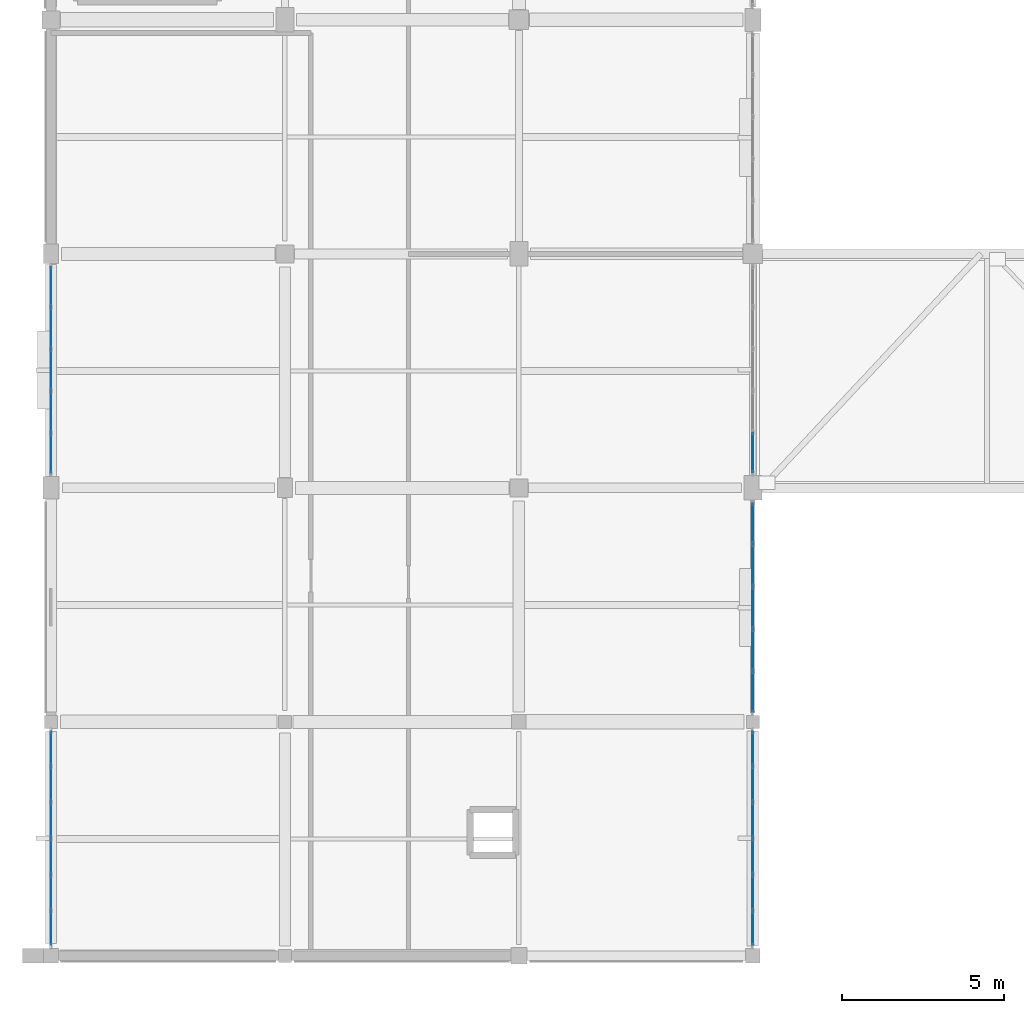
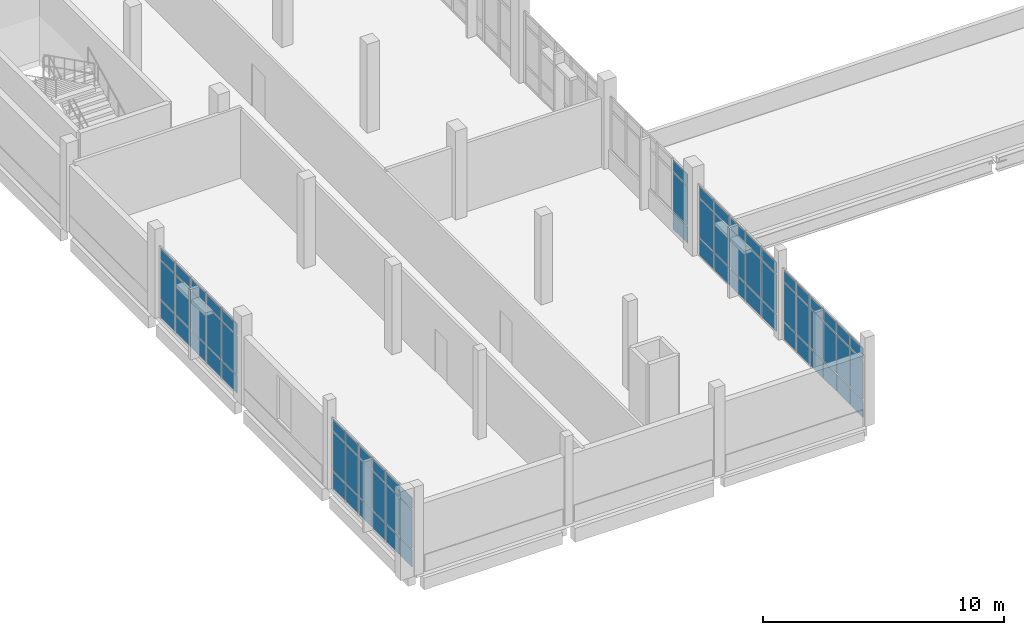
# One storey, part 59 of 87: 69 plates, 5 elements without a shape of their own.
"""IFC4 building model written with IfcOpenShell, lengths in metres."""

import ifcopenshell
import ifcopenshell.guid

model = None  # the IFC model being written
_history = None  # IfcOwnerHistory: only IFC2X3 demands one
_inside = {}  # id of a spatial element -> (the spatial element, [elements in it])
_under = {}  # id of a project, library or spatial element -> (it, [spatial elements below it])
_declared = {}  # id of a project -> (the project, [libraries it declares])
_typed = {}  # id of a type object -> (the type object, [elements of that type])
_made_of = {}  # id of a material, layer set ... -> (it, [elements and type objects made of it])


def new_model(schema):
    """Start an empty IFC model of exactly this schema.

    Asked for "IFC4X3", IfcOpenShell would pick the latest addendum, in which some entities
    have other attributes; the version numbers below select the first issue.
    IFC2X3 requires an IfcOwnerHistory on every rooted entity: one is made here for all.
    """
    global model, _history
    if schema == "IFC4X3":
        model = ifcopenshell.file(schema_version=(4, 3, 0, 0))
    else:
        model = ifcopenshell.file(schema=schema)
    _inside.clear()
    _under.clear()
    _declared.clear()
    _typed.clear()
    _made_of.clear()
    _history = None
    if model.schema == "IFC2X3":
        org = make("IfcOrganization", Name="unknown")
        user = make(
            "IfcPersonAndOrganization",
            ThePerson=make("IfcPerson", FamilyName="unknown"),
            TheOrganization=org,
        )
        app = make(
            "IfcApplication",
            ApplicationDeveloper=org,
            Version="unknown",
            ApplicationFullName="unknown",
            ApplicationIdentifier="unknown",
        )
        _history = make(
            "IfcOwnerHistory",
            OwningUser=user,
            OwningApplication=app,
            ChangeAction="ADDED",
            CreationDate=0,
        )
    return model


def make(cls, **values):
    """One entity of the class cls with the attributes given. An attribute that is None is left unset."""
    return model.create_entity(
        cls, **{name: value for name, value in values.items() if value is not None}
    )


def rooted(cls, **values):
    """An entity with a GlobalId (a new one), such as an element, a storey or a relation."""
    return make(cls, GlobalId=ifcopenshell.guid.new(), OwnerHistory=_history, **values)


def si_unit(unit_type, name, prefix=None):
    """IfcSIUnit, for example si_unit("LENGTHUNIT", "METRE", prefix="MILLI")."""
    return make("IfcSIUnit", UnitType=unit_type, Prefix=prefix, Name=name)


def assignment(units):
    """IfcUnitAssignment: the units of a project."""
    return None if units is None else make("IfcUnitAssignment", Units=units)


def point(xyz):
    """IfcCartesianPoint."""
    return None if xyz is None else make("IfcCartesianPoint", Coordinates=xyz)


def direction(xyz):
    """IfcDirection."""
    return None if xyz is None else make("IfcDirection", DirectionRatios=xyz)


def frame(location, z_axis=None, x_axis=None):
    """IfcAxis2Placement3D, a coordinate frame: its origin and axes. An axis left out is left unset."""
    return make(
        "IfcAxis2Placement3D",
        Location=point(location),
        Axis=direction(z_axis),
        RefDirection=direction(x_axis),
    )


def frame_2d(location, x_axis=None):
    """IfcAxis2Placement2D, a coordinate frame in the plane: its origin and x axis."""
    return make(
        "IfcAxis2Placement2D", Location=point(location), RefDirection=direction(x_axis)
    )


def origin():
    """The frame at (0, 0, 0) with its axes left unset."""
    return frame((0.0, 0.0, 0.0))


def origin_2d():
    """The frame at (0, 0) in the plane with its x axis left unset."""
    return frame_2d((0.0, 0.0))


def place(relative_to, where):
    """IfcLocalPlacement: puts the frame where relative to a parent placement (None: the world)."""
    return make(
        "IfcLocalPlacement", PlacementRelTo=relative_to, RelativePlacement=where
    )


def context(
    kind, dimensions, precision=None, world=None, true_north=None, identifier=None
):
    """IfcGeometricRepresentationContext, for example the 3D "Model" context."""
    return make(
        "IfcGeometricRepresentationContext",
        ContextIdentifier=identifier,
        ContextType=kind,
        CoordinateSpaceDimension=dimensions,
        Precision=precision,
        WorldCoordinateSystem=world,
        TrueNorth=true_north,
    )


def subcontext(parent, identifier, kind, view, scale=None):
    """IfcGeometricRepresentationSubContext, for example "Body" below "Model"."""
    return make(
        "IfcGeometricRepresentationSubContext",
        ContextIdentifier=identifier,
        ContextType=kind,
        ParentContext=parent,
        TargetScale=scale,
        TargetView=view,
    )


def project(units=None, contexts=None):
    """IfcProject with its units and contexts."""
    return rooted(
        "IfcProject",
        Name="project",
        RepresentationContexts=contexts,
        UnitsInContext=assignment(units),
    )


def spatial(cls, under=None, at=None, **own):
    """A site, building, storey or space (cls), placed at a placement, below another one or the project."""
    s = rooted(cls, ObjectPlacement=at, **own)
    if under is not None:
        _under.setdefault(under.id(), (under, []))[1].append(s)
    return s


def profile(cls, at=None, kind="AREA", **sizes):
    """A parametric profile (cls). Its sizes go by their IFC names, for example OverallWidth=200.0."""
    return make(cls, ProfileType=kind, Position=at, **sizes)


def rectangle(**sizes):
    """IfcRectangleProfileDef."""
    return profile("IfcRectangleProfileDef", **sizes)


def extrude(swept, where, along, depth):
    """IfcExtrudedAreaSolid: the profile swept, set in the frame where, extruded along a direction by depth."""
    return make(
        "IfcExtrudedAreaSolid",
        SweptArea=swept,
        Position=where,
        ExtrudedDirection=direction(along),
        Depth=depth,
    )


def shape(context_of_items, identifier, shape_type, items):
    """IfcShapeRepresentation: the items that make up one representation, for example the "Body"."""
    return make(
        "IfcShapeRepresentation",
        ContextOfItems=context_of_items,
        RepresentationIdentifier=identifier,
        RepresentationType=shape_type,
        Items=items,
    )


def material(Name=None, Category=None):
    """IfcMaterial."""
    return make("IfcMaterial", Name=Name, Category=Category)


def layer(
    of_material, thickness, ventilated=None, Name=None, Category=None, Priority=None
):
    """IfcMaterialLayer: one layer of a wall or slab, of a material (None: an air gap)."""
    return make(
        "IfcMaterialLayer",
        Material=of_material,
        LayerThickness=thickness,
        IsVentilated=ventilated,
        Name=Name,
        Category=Category,
        Priority=Priority,
    )


def layer_set(layers, Name=None):
    """IfcMaterialLayerSet."""
    return make("IfcMaterialLayerSet", MaterialLayers=layers, LayerSetName=Name)


def made_of(thing, what):
    """Note that an element or type object is made of a material, layer set ...; save() writes the relation."""
    if what is not None:
        _made_of.setdefault(what.id(), (what, []))[1].append(thing)
    return thing


def type_object(cls, material=None, **own):
    """A type object (cls), such as IfcWallType, which elements share."""
    return made_of(rooted(cls, **own), material)


def element(
    cls,
    number,
    at=None,
    inside=None,
    cuts=None,
    type_object=None,
    material=None,
    context=None,
    identifier="Body",
    shape_type=None,
    held_by="IfcProductDefinitionShape",
    body=None,
    shapes=None,
    **own,
):
    """One element of the class cls, such as IfcWall. Its Tag is "e" and its number.

    at: its placement. inside: the storey or other place that contains it. cuts: it is an
    opening in that element (IfcRelVoidsElement). A single representation is given by context,
    identifier, shape_type and body (its items); several are given by shapes. held_by: the class
    of the entity that holds the representations. save() writes the other relations.
    """
    e = rooted(cls, Tag="e%d" % number, ObjectPlacement=at, **own)
    if body is not None:
        shapes = [shape(context, identifier, shape_type, body)]
    if shapes is not None:
        e.Representation = make(held_by, Representations=shapes)
    if inside is not None:
        _inside.setdefault(inside.id(), (inside, []))[1].append(e)
    if cuts is not None:
        rooted(
            "IfcRelVoidsElement", RelatingBuildingElement=cuts, RelatedOpeningElement=e
        )
    if type_object is not None:
        _typed.setdefault(type_object.id(), (type_object, []))[1].append(e)
    return made_of(e, material)


def aggregate(whole, parts):
    """IfcRelAggregates: a whole, such as a stair, and the parts it consists of."""
    return rooted("IfcRelAggregates", RelatingObject=whole, RelatedObjects=parts)


def save(model, path):
    """Write the relations noted so far, then the file.

    IfcRelAggregates (storeys below a building ...), IfcRelContainedInSpatialStructure (elements
    in a storey), IfcRelDefinesByType, IfcRelAssociatesMaterial and IfcRelDeclares: one each for
    every whole, place, type object, material and project.
    """
    for whole, parts in _under.values():
        aggregate(whole, parts)
    for where, things in _inside.values():
        rooted(
            "IfcRelContainedInSpatialStructure",
            RelatedElements=things,
            RelatingStructure=where,
        )
    for kind, things in _typed.values():
        rooted("IfcRelDefinesByType", RelatedObjects=things, RelatingType=kind)
    for what, things in _made_of.values():
        rooted("IfcRelAssociatesMaterial", RelatedObjects=things, RelatingMaterial=what)
    for by, libraries in _declared.values():
        rooted("IfcRelDeclares", RelatingContext=by, RelatedDefinitions=libraries)
    model.write(path)


model = new_model("IFC4")

# Units and contexts
model_context = context("Model", 3, precision=1e-05, world=origin(), true_north=direction((0.0, 1.0)))
body_context = subcontext(model_context, "Body", "Model", "MODEL_VIEW")
ifc_project = project(units=[si_unit("LENGTHUNIT", "METRE"), si_unit("AREAUNIT", "SQUARE_METRE"), si_unit("VOLUMEUNIT", "CUBIC_METRE"), si_unit("PLANEANGLEUNIT", "RADIAN"), si_unit("MASSUNIT", "GRAM", prefix="KILO")], contexts=[model_context])

# Site, building, storey
site_placement = place(None, origin())
site = spatial("IfcSite", under=ifc_project, at=site_placement, CompositionType="ELEMENT")
building_placement = place(site_placement, origin())
building = spatial("IfcBuilding", under=site, at=building_placement, Name="Kalluvel Institute of Natural Sciences", CompositionType="ELEMENT")
storey_placement = place(building_placement, frame((0.0, 0.0, 18.89990234375)))
storey = spatial("IfcBuildingStorey", under=building, at=storey_placement, Name="L04", CompositionType="ELEMENT", Elevation=18.89990234375)

# Curtain wall, plates
ifc_material_1 = material(Name="Aluminium AW-6063 T6", Category="aluminium")
curtain_wall_type = type_object("IfcCurtainWallType", Name="CW-DRY-45", PredefinedType="USERDEFINED", material=ifc_material_1)
curtain_wall_1_placement = place(storey_placement, origin())
curtain_wall_1 = element("IfcCurtainWall", 1, at=curtain_wall_1_placement, inside=storey, type_object=curtain_wall_type, Name="L04 Gothic lancet curtain wall CWA-L04-X140-Y143", ObjectType="UNITISED LANCET FACADE", PredefinedType="USERDEFINED")
ifc_material_2 = material(Name="Solar-Control Low-E Laminated Glass", Category="glass")
ifc_layer = layer(ifc_material_2, 0.028076171875)
ifc_layer_set = layer_set([ifc_layer], Name="Solar-Control Low-E Laminated Glass")
plate_type = type_object("IfcPlateType", Name="CWP-DGU-28", PredefinedType="CURTAIN_PANEL", material=ifc_layer_set)
plate_1_placement = place(storey_placement, frame((14.0, 14.84619140625, 0.06005859375), z_axis=(0.0, 0.0, 1.0), x_axis=(0.0, 1.0, 0.0)))
plate_1 = element("IfcPlate", 2, at=plate_1_placement, type_object=plate_type, Name="CW-03 panel 1.1", PredefinedType="CURTAIN_PANEL", context=body_context, shape_type="SweptSolid", body=[
    extrude(rectangle(XDim=1.0224609375, YDim=0.028076171875, at=origin_2d()), origin(), (0.0, 0.0, 1.0), 0.860107421875),
])
plate_2_placement = place(storey_placement, frame((14.0, 14.84619140625, 0.980224609375), z_axis=(0.0, 0.0, 1.0), x_axis=(0.0, 1.0, 0.0)))
plate_2 = element("IfcPlate", 3, at=plate_2_placement, type_object=plate_type, Name="CW-03 panel 1.2", PredefinedType="CURTAIN_PANEL", context=body_context, shape_type="SweptSolid", body=[
    extrude(rectangle(XDim=1.0224609375, YDim=0.028076171875, at=origin_2d()), origin(), (0.0, 0.0, 1.0), 1.9599609375),
])
plate_3_placement = place(storey_placement, frame((14.0, 14.84619140625, 3.0), z_axis=(0.0, 0.0, 1.0), x_axis=(0.0, 1.0, 0.0)))
plate_3 = element("IfcPlate", 4, at=plate_3_placement, type_object=plate_type, Name="CW-03 panel 1.3", PredefinedType="CURTAIN_PANEL", context=body_context, shape_type="SweptSolid", body=[
    extrude(rectangle(XDim=1.0224609375, YDim=0.028076171875, at=origin_2d()), origin(), (0.0, 0.0, 1.0), 0.56005859375),
])
plate_4_placement = place(storey_placement, frame((14.0, 15.94384765625, 0.06005859375), z_axis=(0.0, 0.0, 1.0), x_axis=(0.0, 1.0, 0.0)))
plate_4 = element("IfcPlate", 5, at=plate_4_placement, type_object=plate_type, Name="CW-03 panel 2.1", PredefinedType="CURTAIN_PANEL", context=body_context, shape_type="SweptSolid", body=[
    extrude(rectangle(XDim=1.052490234375, YDim=0.028076171875, at=origin_2d()), origin(), (0.0, 0.0, 1.0), 0.860107421875),
])
plate_5_placement = place(storey_placement, frame((14.0, 15.94384765625, 0.980224609375), z_axis=(0.0, 0.0, 1.0), x_axis=(0.0, 1.0, 0.0)))
plate_5 = element("IfcPlate", 6, at=plate_5_placement, type_object=plate_type, Name="CW-03 panel 2.2", PredefinedType="CURTAIN_PANEL", context=body_context, shape_type="SweptSolid", body=[
    extrude(rectangle(XDim=1.052490234375, YDim=0.028076171875, at=origin_2d()), origin(), (0.0, 0.0, 1.0), 1.9599609375),
])
plate_6_placement = place(storey_placement, frame((14.0, 15.94384765625, 3.0), z_axis=(0.0, 0.0, 1.0), x_axis=(0.0, 1.0, 0.0)))
plate_6 = element("IfcPlate", 7, at=plate_6_placement, type_object=plate_type, Name="CW-03 panel 2.3", PredefinedType="CURTAIN_PANEL", context=body_context, shape_type="SweptSolid", body=[
    extrude(rectangle(XDim=1.052490234375, YDim=0.028076171875, at=origin_2d()), origin(), (0.0, 0.0, 1.0), 0.56005859375),
])
plate_7_placement = place(storey_placement, frame((14.0, 17.05615234375, 0.06005859375), z_axis=(0.0, 0.0, 1.0), x_axis=(0.0, 1.0, 0.0)))
plate_7 = element("IfcPlate", 8, at=plate_7_placement, type_object=plate_type, Name="CW-03 panel 3.1", PredefinedType="CURTAIN_PANEL", context=body_context, shape_type="SweptSolid", body=[
    extrude(rectangle(XDim=1.052490234375, YDim=0.028076171875, at=origin_2d()), origin(), (0.0, 0.0, 1.0), 0.860107421875),
])
plate_8_placement = place(storey_placement, frame((14.0, 17.05615234375, 0.980224609375), z_axis=(0.0, 0.0, 1.0), x_axis=(0.0, 1.0, 0.0)))
plate_8 = element("IfcPlate", 9, at=plate_8_placement, type_object=plate_type, Name="CW-03 panel 3.2", PredefinedType="CURTAIN_PANEL", context=body_context, shape_type="SweptSolid", body=[
    extrude(rectangle(XDim=1.052490234375, YDim=0.028076171875, at=origin_2d()), origin(), (0.0, 0.0, 1.0), 1.9599609375),
])
plate_9_placement = place(storey_placement, frame((14.0, 17.05615234375, 3.0), z_axis=(0.0, 0.0, 1.0), x_axis=(0.0, 1.0, 0.0)))
plate_9 = element("IfcPlate", 10, at=plate_9_placement, type_object=plate_type, Name="CW-03 panel 3.3", PredefinedType="CURTAIN_PANEL", context=body_context, shape_type="SweptSolid", body=[
    extrude(rectangle(XDim=1.052490234375, YDim=0.028076171875, at=origin_2d()), origin(), (0.0, 0.0, 1.0), 0.56005859375),
])
plate_10_placement = place(storey_placement, frame((14.0, 18.168701171875, 0.06005859375), z_axis=(0.0, 0.0, 1.0), x_axis=(0.0, 1.0, 0.0)))
plate_10 = element("IfcPlate", 11, at=plate_10_placement, type_object=plate_type, Name="CW-03 panel 4.1", PredefinedType="CURTAIN_PANEL", context=body_context, shape_type="SweptSolid", body=[
    extrude(rectangle(XDim=1.052490234375, YDim=0.028076171875, at=origin_2d()), origin(), (0.0, 0.0, 1.0), 0.860107421875),
])
plate_11_placement = place(storey_placement, frame((14.0, 18.168701171875, 0.980224609375), z_axis=(0.0, 0.0, 1.0), x_axis=(0.0, 1.0, 0.0)))
plate_11 = element("IfcPlate", 12, at=plate_11_placement, type_object=plate_type, Name="CW-03 panel 4.2", PredefinedType="CURTAIN_PANEL", context=body_context, shape_type="SweptSolid", body=[
    extrude(rectangle(XDim=1.052490234375, YDim=0.028076171875, at=origin_2d()), origin(), (0.0, 0.0, 1.0), 1.9599609375),
])
plate_12_placement = place(storey_placement, frame((14.0, 18.168701171875, 3.0), z_axis=(0.0, 0.0, 1.0), x_axis=(0.0, 1.0, 0.0)))
plate_12 = element("IfcPlate", 13, at=plate_12_placement, type_object=plate_type, Name="CW-03 panel 4.3", PredefinedType="CURTAIN_PANEL", context=body_context, shape_type="SweptSolid", body=[
    extrude(rectangle(XDim=1.052490234375, YDim=0.028076171875, at=origin_2d()), origin(), (0.0, 0.0, 1.0), 0.56005859375),
])
plate_13_placement = place(storey_placement, frame((14.0, 19.28125, 0.06005859375), z_axis=(0.0, 0.0, 1.0), x_axis=(0.0, 1.0, 0.0)))
plate_13 = element("IfcPlate", 14, at=plate_13_placement, type_object=plate_type, Name="CW-03 panel 5.1", PredefinedType="CURTAIN_PANEL", context=body_context, shape_type="SweptSolid", body=[
    extrude(rectangle(XDim=1.052490234375, YDim=0.028076171875, at=origin_2d()), origin(), (0.0, 0.0, 1.0), 0.860107421875),
])
plate_14_placement = place(storey_placement, frame((14.0, 19.28125, 0.980224609375), z_axis=(0.0, 0.0, 1.0), x_axis=(0.0, 1.0, 0.0)))
plate_14 = element("IfcPlate", 15, at=plate_14_placement, type_object=plate_type, Name="CW-03 panel 5.2", PredefinedType="CURTAIN_PANEL", context=body_context, shape_type="SweptSolid", body=[
    extrude(rectangle(XDim=1.052490234375, YDim=0.028076171875, at=origin_2d()), origin(), (0.0, 0.0, 1.0), 1.9599609375),
])
plate_15_placement = place(storey_placement, frame((14.0, 19.28125, 3.0), z_axis=(0.0, 0.0, 1.0), x_axis=(0.0, 1.0, 0.0)))
plate_15 = element("IfcPlate", 16, at=plate_15_placement, type_object=plate_type, Name="CW-03 panel 5.3", PredefinedType="CURTAIN_PANEL", context=body_context, shape_type="SweptSolid", body=[
    extrude(rectangle(XDim=1.052490234375, YDim=0.028076171875, at=origin_2d()), origin(), (0.0, 0.0, 1.0), 0.56005859375),
])
plate_16_placement = place(storey_placement, frame((14.0, 20.378662109375, 0.06005859375), z_axis=(0.0, 0.0, 1.0), x_axis=(0.0, 1.0, 0.0)))
plate_16 = element("IfcPlate", 17, at=plate_16_placement, type_object=plate_type, Name="CW-03 panel 6.1", PredefinedType="CURTAIN_PANEL", context=body_context, shape_type="SweptSolid", body=[
    extrude(rectangle(XDim=1.0224609375, YDim=0.028076171875, at=origin_2d()), origin(), (0.0, 0.0, 1.0), 0.860107421875),
])
plate_17_placement = place(storey_placement, frame((14.0, 20.378662109375, 0.980224609375), z_axis=(0.0, 0.0, 1.0), x_axis=(0.0, 1.0, 0.0)))
plate_17 = element("IfcPlate", 18, at=plate_17_placement, type_object=plate_type, Name="CW-03 panel 6.2", PredefinedType="CURTAIN_PANEL", context=body_context, shape_type="SweptSolid", body=[
    extrude(rectangle(XDim=1.0224609375, YDim=0.028076171875, at=origin_2d()), origin(), (0.0, 0.0, 1.0), 1.9599609375),
])
plate_18_placement = place(storey_placement, frame((14.0, 20.378662109375, 3.0), z_axis=(0.0, 0.0, 1.0), x_axis=(0.0, 1.0, 0.0)))
plate_18 = element("IfcPlate", 19, at=plate_18_placement, type_object=plate_type, Name="CW-03 panel 6.3", PredefinedType="CURTAIN_PANEL", context=body_context, shape_type="SweptSolid", body=[
    extrude(rectangle(XDim=1.0224609375, YDim=0.028076171875, at=origin_2d()), origin(), (0.0, 0.0, 1.0), 0.56005859375),
])
aggregate(curtain_wall_1, [plate_1, plate_2, plate_3, plate_4, plate_5, plate_6, plate_7, plate_8, plate_9, plate_10, plate_11, plate_12, plate_13, plate_14, plate_15, plate_16, plate_17, plate_18])

curtain_wall_2_placement = place(storey_placement, origin())
curtain_wall_2 = element("IfcCurtainWall", 20, at=curtain_wall_2_placement, inside=storey, type_object=curtain_wall_type, Name="L04 Gothic lancet curtain wall CWA-L04-X140-Y288", ObjectType="UNITISED LANCET FACADE", PredefinedType="USERDEFINED")
plate_19_placement = place(storey_placement, frame((14.0, 29.4599609375, 0.06005859375), z_axis=(0.0, 0.0, 1.0), x_axis=(0.0, 1.0, 0.0)))
plate_19 = element("IfcPlate", 21, at=plate_19_placement, type_object=plate_type, Name="CW-03 panel 1.1", PredefinedType="CURTAIN_PANEL", context=body_context, shape_type="SweptSolid", body=[
    extrude(rectangle(XDim=1.199951171875, YDim=0.028076171875, at=origin_2d()), origin(), (0.0, 0.0, 1.0), 0.860107421875),
])
plate_20_placement = place(storey_placement, frame((14.0, 29.4599609375, 0.980224609375), z_axis=(0.0, 0.0, 1.0), x_axis=(0.0, 1.0, 0.0)))
plate_20 = element("IfcPlate", 22, at=plate_20_placement, type_object=plate_type, Name="CW-03 panel 1.2", PredefinedType="CURTAIN_PANEL", context=body_context, shape_type="SweptSolid", body=[
    extrude(rectangle(XDim=1.199951171875, YDim=0.028076171875, at=origin_2d()), origin(), (0.0, 0.0, 1.0), 1.9599609375),
])
plate_21_placement = place(storey_placement, frame((14.0, 29.4599609375, 3.0), z_axis=(0.0, 0.0, 1.0), x_axis=(0.0, 1.0, 0.0)))
plate_21 = element("IfcPlate", 23, at=plate_21_placement, type_object=plate_type, Name="CW-03 panel 1.3", PredefinedType="CURTAIN_PANEL", context=body_context, shape_type="SweptSolid", body=[
    extrude(rectangle(XDim=1.199951171875, YDim=0.028076171875, at=origin_2d()), origin(), (0.0, 0.0, 1.0), 0.56005859375),
])
plate_22_placement = place(storey_placement, frame((14.0, 30.735107421875, 0.06005859375), z_axis=(0.0, 0.0, 1.0), x_axis=(0.0, 1.0, 0.0)))
plate_22 = element("IfcPlate", 24, at=plate_22_placement, type_object=plate_type, Name="CW-03 panel 2.1", PredefinedType="CURTAIN_PANEL", context=body_context, shape_type="SweptSolid", body=[
    extrude(rectangle(XDim=1.22998046875, YDim=0.028076171875, at=origin_2d()), origin(), (0.0, 0.0, 1.0), 0.860107421875),
])
plate_23_placement = place(storey_placement, frame((14.0, 30.735107421875, 0.980224609375), z_axis=(0.0, 0.0, 1.0), x_axis=(0.0, 1.0, 0.0)))
plate_23 = element("IfcPlate", 25, at=plate_23_placement, type_object=plate_type, Name="CW-03 panel 2.2", PredefinedType="CURTAIN_PANEL", context=body_context, shape_type="SweptSolid", body=[
    extrude(rectangle(XDim=1.22998046875, YDim=0.028076171875, at=origin_2d()), origin(), (0.0, 0.0, 1.0), 1.9599609375),
])
plate_24_placement = place(storey_placement, frame((14.0, 30.735107421875, 3.0), z_axis=(0.0, 0.0, 1.0), x_axis=(0.0, 1.0, 0.0)))
plate_24 = element("IfcPlate", 26, at=plate_24_placement, type_object=plate_type, Name="CW-03 panel 2.3", PredefinedType="CURTAIN_PANEL", context=body_context, shape_type="SweptSolid", body=[
    extrude(rectangle(XDim=1.22998046875, YDim=0.028076171875, at=origin_2d()), origin(), (0.0, 0.0, 1.0), 0.56005859375),
])
plate_25_placement = place(storey_placement, frame((14.0, 32.02490234375, 0.06005859375), z_axis=(0.0, 0.0, 1.0), x_axis=(0.0, 1.0, 0.0)))
plate_25 = element("IfcPlate", 27, at=plate_25_placement, type_object=plate_type, Name="CW-03 panel 3.1", PredefinedType="CURTAIN_PANEL", context=body_context, shape_type="SweptSolid", body=[
    extrude(rectangle(XDim=1.22998046875, YDim=0.028076171875, at=origin_2d()), origin(), (0.0, 0.0, 1.0), 0.860107421875),
])
plate_26_placement = place(storey_placement, frame((14.0, 32.02490234375, 0.980224609375), z_axis=(0.0, 0.0, 1.0), x_axis=(0.0, 1.0, 0.0)))
plate_26 = element("IfcPlate", 28, at=plate_26_placement, type_object=plate_type, Name="CW-03 panel 3.2", PredefinedType="CURTAIN_PANEL", context=body_context, shape_type="SweptSolid", body=[
    extrude(rectangle(XDim=1.22998046875, YDim=0.028076171875, at=origin_2d()), origin(), (0.0, 0.0, 1.0), 1.9599609375),
])
plate_27_placement = place(storey_placement, frame((14.0, 32.02490234375, 3.0), z_axis=(0.0, 0.0, 1.0), x_axis=(0.0, 1.0, 0.0)))
plate_27 = element("IfcPlate", 29, at=plate_27_placement, type_object=plate_type, Name="CW-03 panel 3.3", PredefinedType="CURTAIN_PANEL", context=body_context, shape_type="SweptSolid", body=[
    extrude(rectangle(XDim=1.22998046875, YDim=0.028076171875, at=origin_2d()), origin(), (0.0, 0.0, 1.0), 0.56005859375),
])
plate_28_placement = place(storey_placement, frame((14.0, 33.31494140625, 0.06005859375), z_axis=(0.0, 0.0, 1.0), x_axis=(0.0, 1.0, 0.0)))
plate_28 = element("IfcPlate", 30, at=plate_28_placement, type_object=plate_type, Name="CW-03 panel 4.1", PredefinedType="CURTAIN_PANEL", context=body_context, shape_type="SweptSolid", body=[
    extrude(rectangle(XDim=1.22998046875, YDim=0.028076171875, at=origin_2d()), origin(), (0.0, 0.0, 1.0), 0.860107421875),
])
plate_29_placement = place(storey_placement, frame((14.0, 33.31494140625, 0.980224609375), z_axis=(0.0, 0.0, 1.0), x_axis=(0.0, 1.0, 0.0)))
plate_29 = element("IfcPlate", 31, at=plate_29_placement, type_object=plate_type, Name="CW-03 panel 4.2", PredefinedType="CURTAIN_PANEL", context=body_context, shape_type="SweptSolid", body=[
    extrude(rectangle(XDim=1.22998046875, YDim=0.028076171875, at=origin_2d()), origin(), (0.0, 0.0, 1.0), 1.9599609375),
])
plate_30_placement = place(storey_placement, frame((14.0, 33.31494140625, 3.0), z_axis=(0.0, 0.0, 1.0), x_axis=(0.0, 1.0, 0.0)))
plate_30 = element("IfcPlate", 32, at=plate_30_placement, type_object=plate_type, Name="CW-03 panel 4.3", PredefinedType="CURTAIN_PANEL", context=body_context, shape_type="SweptSolid", body=[
    extrude(rectangle(XDim=1.22998046875, YDim=0.028076171875, at=origin_2d()), origin(), (0.0, 0.0, 1.0), 0.56005859375),
])
plate_31_placement = place(storey_placement, frame((14.0, 34.590087890625, 0.06005859375), z_axis=(0.0, 0.0, 1.0), x_axis=(0.0, 1.0, 0.0)))
plate_31 = element("IfcPlate", 33, at=plate_31_placement, type_object=plate_type, Name="CW-03 panel 5.1", PredefinedType="CURTAIN_PANEL", context=body_context, shape_type="SweptSolid", body=[
    extrude(rectangle(XDim=1.199951171875, YDim=0.028076171875, at=origin_2d()), origin(), (0.0, 0.0, 1.0), 0.860107421875),
])
plate_32_placement = place(storey_placement, frame((14.0, 34.590087890625, 0.980224609375), z_axis=(0.0, 0.0, 1.0), x_axis=(0.0, 1.0, 0.0)))
plate_32 = element("IfcPlate", 34, at=plate_32_placement, type_object=plate_type, Name="CW-03 panel 5.2", PredefinedType="CURTAIN_PANEL", context=body_context, shape_type="SweptSolid", body=[
    extrude(rectangle(XDim=1.199951171875, YDim=0.028076171875, at=origin_2d()), origin(), (0.0, 0.0, 1.0), 1.9599609375),
])
plate_33_placement = place(storey_placement, frame((14.0, 34.590087890625, 3.0), z_axis=(0.0, 0.0, 1.0), x_axis=(0.0, 1.0, 0.0)))
plate_33 = element("IfcPlate", 35, at=plate_33_placement, type_object=plate_type, Name="CW-03 panel 5.3", PredefinedType="CURTAIN_PANEL", context=body_context, shape_type="SweptSolid", body=[
    extrude(rectangle(XDim=1.199951171875, YDim=0.028076171875, at=origin_2d()), origin(), (0.0, 0.0, 1.0), 0.56005859375),
])
aggregate(curtain_wall_2, [plate_19, plate_20, plate_21, plate_22, plate_23, plate_24, plate_25, plate_26, plate_27, plate_28, plate_29, plate_30, plate_31, plate_32, plate_33])

curtain_wall_3_placement = place(storey_placement, origin())
curtain_wall_3 = element("IfcCurtainWall", 36, at=curtain_wall_3_placement, inside=storey, type_object=curtain_wall_type, Name="L04 Gothic lancet curtain wall CWA-L04-X356-Y143", ObjectType="UNITISED LANCET FACADE", PredefinedType="USERDEFINED")
plate_34_placement = place(storey_placement, frame((35.60009765625, 14.84619140625, 0.06005859375), z_axis=(0.0, 0.0, 1.0), x_axis=(0.0, 1.0, 0.0)))
plate_34 = element("IfcPlate", 37, at=plate_34_placement, type_object=plate_type, Name="CW-03 panel 1.1", PredefinedType="CURTAIN_PANEL", context=body_context, shape_type="SweptSolid", body=[
    extrude(rectangle(XDim=1.0224609375, YDim=0.028076171875, at=origin_2d()), origin(), (0.0, 0.0, 1.0), 0.860107421875),
])
plate_35_placement = place(storey_placement, frame((35.60009765625, 14.84619140625, 0.980224609375), z_axis=(0.0, 0.0, 1.0), x_axis=(0.0, 1.0, 0.0)))
plate_35 = element("IfcPlate", 38, at=plate_35_placement, type_object=plate_type, Name="CW-03 panel 1.2", PredefinedType="CURTAIN_PANEL", context=body_context, shape_type="SweptSolid", body=[
    extrude(rectangle(XDim=1.0224609375, YDim=0.028076171875, at=origin_2d()), origin(), (0.0, 0.0, 1.0), 1.9599609375),
])
plate_36_placement = place(storey_placement, frame((35.60009765625, 14.84619140625, 3.0), z_axis=(0.0, 0.0, 1.0), x_axis=(0.0, 1.0, 0.0)))
plate_36 = element("IfcPlate", 39, at=plate_36_placement, type_object=plate_type, Name="CW-03 panel 1.3", PredefinedType="CURTAIN_PANEL", context=body_context, shape_type="SweptSolid", body=[
    extrude(rectangle(XDim=1.0224609375, YDim=0.028076171875, at=origin_2d()), origin(), (0.0, 0.0, 1.0), 0.56005859375),
])
plate_37_placement = place(storey_placement, frame((35.60009765625, 15.94384765625, 0.06005859375), z_axis=(0.0, 0.0, 1.0), x_axis=(0.0, 1.0, 0.0)))
plate_37 = element("IfcPlate", 40, at=plate_37_placement, type_object=plate_type, Name="CW-03 panel 2.1", PredefinedType="CURTAIN_PANEL", context=body_context, shape_type="SweptSolid", body=[
    extrude(rectangle(XDim=1.052490234375, YDim=0.028076171875, at=origin_2d()), origin(), (0.0, 0.0, 1.0), 0.860107421875),
])
plate_38_placement = place(storey_placement, frame((35.60009765625, 15.94384765625, 0.980224609375), z_axis=(0.0, 0.0, 1.0), x_axis=(0.0, 1.0, 0.0)))
plate_38 = element("IfcPlate", 41, at=plate_38_placement, type_object=plate_type, Name="CW-03 panel 2.2", PredefinedType="CURTAIN_PANEL", context=body_context, shape_type="SweptSolid", body=[
    extrude(rectangle(XDim=1.052490234375, YDim=0.028076171875, at=origin_2d()), origin(), (0.0, 0.0, 1.0), 1.9599609375),
])
plate_39_placement = place(storey_placement, frame((35.60009765625, 15.94384765625, 3.0), z_axis=(0.0, 0.0, 1.0), x_axis=(0.0, 1.0, 0.0)))
plate_39 = element("IfcPlate", 42, at=plate_39_placement, type_object=plate_type, Name="CW-03 panel 2.3", PredefinedType="CURTAIN_PANEL", context=body_context, shape_type="SweptSolid", body=[
    extrude(rectangle(XDim=1.052490234375, YDim=0.028076171875, at=origin_2d()), origin(), (0.0, 0.0, 1.0), 0.56005859375),
])
plate_40_placement = place(storey_placement, frame((35.60009765625, 17.05615234375, 0.06005859375), z_axis=(0.0, 0.0, 1.0), x_axis=(0.0, 1.0, 0.0)))
plate_40 = element("IfcPlate", 43, at=plate_40_placement, type_object=plate_type, Name="CW-03 panel 3.1", PredefinedType="CURTAIN_PANEL", context=body_context, shape_type="SweptSolid", body=[
    extrude(rectangle(XDim=1.052490234375, YDim=0.028076171875, at=origin_2d()), origin(), (0.0, 0.0, 1.0), 0.860107421875),
])
plate_41_placement = place(storey_placement, frame((35.60009765625, 17.05615234375, 0.980224609375), z_axis=(0.0, 0.0, 1.0), x_axis=(0.0, 1.0, 0.0)))
plate_41 = element("IfcPlate", 44, at=plate_41_placement, type_object=plate_type, Name="CW-03 panel 3.2", PredefinedType="CURTAIN_PANEL", context=body_context, shape_type="SweptSolid", body=[
    extrude(rectangle(XDim=1.052490234375, YDim=0.028076171875, at=origin_2d()), origin(), (0.0, 0.0, 1.0), 1.9599609375),
])
plate_42_placement = place(storey_placement, frame((35.60009765625, 17.05615234375, 3.0), z_axis=(0.0, 0.0, 1.0), x_axis=(0.0, 1.0, 0.0)))
plate_42 = element("IfcPlate", 45, at=plate_42_placement, type_object=plate_type, Name="CW-03 panel 3.3", PredefinedType="CURTAIN_PANEL", context=body_context, shape_type="SweptSolid", body=[
    extrude(rectangle(XDim=1.052490234375, YDim=0.028076171875, at=origin_2d()), origin(), (0.0, 0.0, 1.0), 0.56005859375),
])
plate_43_placement = place(storey_placement, frame((35.60009765625, 18.168701171875, 0.06005859375), z_axis=(0.0, 0.0, 1.0), x_axis=(0.0, 1.0, 0.0)))
plate_43 = element("IfcPlate", 46, at=plate_43_placement, type_object=plate_type, Name="CW-03 panel 4.1", PredefinedType="CURTAIN_PANEL", context=body_context, shape_type="SweptSolid", body=[
    extrude(rectangle(XDim=1.052490234375, YDim=0.028076171875, at=origin_2d()), origin(), (0.0, 0.0, 1.0), 0.860107421875),
])
plate_44_placement = place(storey_placement, frame((35.60009765625, 18.168701171875, 0.980224609375), z_axis=(0.0, 0.0, 1.0), x_axis=(0.0, 1.0, 0.0)))
plate_44 = element("IfcPlate", 47, at=plate_44_placement, type_object=plate_type, Name="CW-03 panel 4.2", PredefinedType="CURTAIN_PANEL", context=body_context, shape_type="SweptSolid", body=[
    extrude(rectangle(XDim=1.052490234375, YDim=0.028076171875, at=origin_2d()), origin(), (0.0, 0.0, 1.0), 1.9599609375),
])
plate_45_placement = place(storey_placement, frame((35.60009765625, 18.168701171875, 3.0), z_axis=(0.0, 0.0, 1.0), x_axis=(0.0, 1.0, 0.0)))
plate_45 = element("IfcPlate", 48, at=plate_45_placement, type_object=plate_type, Name="CW-03 panel 4.3", PredefinedType="CURTAIN_PANEL", context=body_context, shape_type="SweptSolid", body=[
    extrude(rectangle(XDim=1.052490234375, YDim=0.028076171875, at=origin_2d()), origin(), (0.0, 0.0, 1.0), 0.56005859375),
])
plate_46_placement = place(storey_placement, frame((35.60009765625, 19.28125, 0.06005859375), z_axis=(0.0, 0.0, 1.0), x_axis=(0.0, 1.0, 0.0)))
plate_46 = element("IfcPlate", 49, at=plate_46_placement, type_object=plate_type, Name="CW-03 panel 5.1", PredefinedType="CURTAIN_PANEL", context=body_context, shape_type="SweptSolid", body=[
    extrude(rectangle(XDim=1.052490234375, YDim=0.028076171875, at=origin_2d()), origin(), (0.0, 0.0, 1.0), 0.860107421875),
])
plate_47_placement = place(storey_placement, frame((35.60009765625, 19.28125, 0.980224609375), z_axis=(0.0, 0.0, 1.0), x_axis=(0.0, 1.0, 0.0)))
plate_47 = element("IfcPlate", 50, at=plate_47_placement, type_object=plate_type, Name="CW-03 panel 5.2", PredefinedType="CURTAIN_PANEL", context=body_context, shape_type="SweptSolid", body=[
    extrude(rectangle(XDim=1.052490234375, YDim=0.028076171875, at=origin_2d()), origin(), (0.0, 0.0, 1.0), 1.9599609375),
])
plate_48_placement = place(storey_placement, frame((35.60009765625, 19.28125, 3.0), z_axis=(0.0, 0.0, 1.0), x_axis=(0.0, 1.0, 0.0)))
plate_48 = element("IfcPlate", 51, at=plate_48_placement, type_object=plate_type, Name="CW-03 panel 5.3", PredefinedType="CURTAIN_PANEL", context=body_context, shape_type="SweptSolid", body=[
    extrude(rectangle(XDim=1.052490234375, YDim=0.028076171875, at=origin_2d()), origin(), (0.0, 0.0, 1.0), 0.56005859375),
])
plate_49_placement = place(storey_placement, frame((35.60009765625, 20.378662109375, 0.06005859375), z_axis=(0.0, 0.0, 1.0), x_axis=(0.0, 1.0, 0.0)))
plate_49 = element("IfcPlate", 52, at=plate_49_placement, type_object=plate_type, Name="CW-03 panel 6.1", PredefinedType="CURTAIN_PANEL", context=body_context, shape_type="SweptSolid", body=[
    extrude(rectangle(XDim=1.0224609375, YDim=0.028076171875, at=origin_2d()), origin(), (0.0, 0.0, 1.0), 0.860107421875),
])
plate_50_placement = place(storey_placement, frame((35.60009765625, 20.378662109375, 0.980224609375), z_axis=(0.0, 0.0, 1.0), x_axis=(0.0, 1.0, 0.0)))
plate_50 = element("IfcPlate", 53, at=plate_50_placement, type_object=plate_type, Name="CW-03 panel 6.2", PredefinedType="CURTAIN_PANEL", context=body_context, shape_type="SweptSolid", body=[
    extrude(rectangle(XDim=1.0224609375, YDim=0.028076171875, at=origin_2d()), origin(), (0.0, 0.0, 1.0), 1.9599609375),
])
plate_51_placement = place(storey_placement, frame((35.60009765625, 20.378662109375, 3.0), z_axis=(0.0, 0.0, 1.0), x_axis=(0.0, 1.0, 0.0)))
plate_51 = element("IfcPlate", 54, at=plate_51_placement, type_object=plate_type, Name="CW-03 panel 6.3", PredefinedType="CURTAIN_PANEL", context=body_context, shape_type="SweptSolid", body=[
    extrude(rectangle(XDim=1.0224609375, YDim=0.028076171875, at=origin_2d()), origin(), (0.0, 0.0, 1.0), 0.56005859375),
])
aggregate(curtain_wall_3, [plate_34, plate_35, plate_36, plate_37, plate_38, plate_39, plate_40, plate_41, plate_42, plate_43, plate_44, plate_45, plate_46, plate_47, plate_48, plate_49, plate_50, plate_51])

curtain_wall_4_placement = place(storey_placement, origin())
curtain_wall_4 = element("IfcCurtainWall", 55, at=curtain_wall_4_placement, inside=storey, type_object=curtain_wall_type, Name="L04 Gothic lancet curtain wall CWA-L04-X356-Y214", ObjectType="UNITISED LANCET FACADE", PredefinedType="USERDEFINED")
plate_52_placement = place(storey_placement, frame((35.60009765625, 22.117431640625, 0.06005859375), z_axis=(0.0, 0.0, 1.0), x_axis=(0.0, 1.0, 0.0)))
plate_52 = element("IfcPlate", 56, at=plate_52_placement, type_object=plate_type, Name="CW-03 panel 1.1", PredefinedType="CURTAIN_PANEL", context=body_context, shape_type="SweptSolid", body=[
    extrude(rectangle(XDim=1.215087890625, YDim=0.028076171875, at=origin_2d()), origin(), (0.0, 0.0, 1.0), 0.860107421875),
])
plate_53_placement = place(storey_placement, frame((35.60009765625, 22.117431640625, 0.980224609375), z_axis=(0.0, 0.0, 1.0), x_axis=(0.0, 1.0, 0.0)))
plate_53 = element("IfcPlate", 57, at=plate_53_placement, type_object=plate_type, Name="CW-03 panel 1.2", PredefinedType="CURTAIN_PANEL", context=body_context, shape_type="SweptSolid", body=[
    extrude(rectangle(XDim=1.215087890625, YDim=0.028076171875, at=origin_2d()), origin(), (0.0, 0.0, 1.0), 1.9599609375),
])
plate_54_placement = place(storey_placement, frame((35.60009765625, 22.117431640625, 3.0), z_axis=(0.0, 0.0, 1.0), x_axis=(0.0, 1.0, 0.0)))
plate_54 = element("IfcPlate", 58, at=plate_54_placement, type_object=plate_type, Name="CW-03 panel 1.3", PredefinedType="CURTAIN_PANEL", context=body_context, shape_type="SweptSolid", body=[
    extrude(rectangle(XDim=1.215087890625, YDim=0.028076171875, at=origin_2d()), origin(), (0.0, 0.0, 1.0), 0.56005859375),
])
plate_55_placement = place(storey_placement, frame((35.60009765625, 23.407470703125, 0.06005859375), z_axis=(0.0, 0.0, 1.0), x_axis=(0.0, 1.0, 0.0)))
plate_55 = element("IfcPlate", 59, at=plate_55_placement, type_object=plate_type, Name="CW-03 panel 2.1", PredefinedType="CURTAIN_PANEL", context=body_context, shape_type="SweptSolid", body=[
    extrude(rectangle(XDim=1.2451171875, YDim=0.028076171875, at=origin_2d()), origin(), (0.0, 0.0, 1.0), 0.860107421875),
])
plate_56_placement = place(storey_placement, frame((35.60009765625, 23.407470703125, 0.980224609375), z_axis=(0.0, 0.0, 1.0), x_axis=(0.0, 1.0, 0.0)))
plate_56 = element("IfcPlate", 60, at=plate_56_placement, type_object=plate_type, Name="CW-03 panel 2.2", PredefinedType="CURTAIN_PANEL", context=body_context, shape_type="SweptSolid", body=[
    extrude(rectangle(XDim=1.2451171875, YDim=0.028076171875, at=origin_2d()), origin(), (0.0, 0.0, 1.0), 1.9599609375),
])
plate_57_placement = place(storey_placement, frame((35.60009765625, 23.407470703125, 3.0), z_axis=(0.0, 0.0, 1.0), x_axis=(0.0, 1.0, 0.0)))
plate_57 = element("IfcPlate", 61, at=plate_57_placement, type_object=plate_type, Name="CW-03 panel 2.3", PredefinedType="CURTAIN_PANEL", context=body_context, shape_type="SweptSolid", body=[
    extrude(rectangle(XDim=1.2451171875, YDim=0.028076171875, at=origin_2d()), origin(), (0.0, 0.0, 1.0), 0.56005859375),
])
plate_58_placement = place(storey_placement, frame((35.60009765625, 24.71240234375, 0.06005859375), z_axis=(0.0, 0.0, 1.0), x_axis=(0.0, 1.0, 0.0)))
plate_58 = element("IfcPlate", 62, at=plate_58_placement, type_object=plate_type, Name="CW-03 panel 3.1", PredefinedType="CURTAIN_PANEL", context=body_context, shape_type="SweptSolid", body=[
    extrude(rectangle(XDim=1.2451171875, YDim=0.028076171875, at=origin_2d()), origin(), (0.0, 0.0, 1.0), 0.860107421875),
])
plate_59_placement = place(storey_placement, frame((35.60009765625, 24.71240234375, 0.980224609375), z_axis=(0.0, 0.0, 1.0), x_axis=(0.0, 1.0, 0.0)))
plate_59 = element("IfcPlate", 63, at=plate_59_placement, type_object=plate_type, Name="CW-03 panel 3.2", PredefinedType="CURTAIN_PANEL", context=body_context, shape_type="SweptSolid", body=[
    extrude(rectangle(XDim=1.2451171875, YDim=0.028076171875, at=origin_2d()), origin(), (0.0, 0.0, 1.0), 1.9599609375),
])
plate_60_placement = place(storey_placement, frame((35.60009765625, 24.71240234375, 3.0), z_axis=(0.0, 0.0, 1.0), x_axis=(0.0, 1.0, 0.0)))
plate_60 = element("IfcPlate", 64, at=plate_60_placement, type_object=plate_type, Name="CW-03 panel 3.3", PredefinedType="CURTAIN_PANEL", context=body_context, shape_type="SweptSolid", body=[
    extrude(rectangle(XDim=1.2451171875, YDim=0.028076171875, at=origin_2d()), origin(), (0.0, 0.0, 1.0), 0.56005859375),
])
plate_61_placement = place(storey_placement, frame((35.60009765625, 26.017578125, 0.06005859375), z_axis=(0.0, 0.0, 1.0), x_axis=(0.0, 1.0, 0.0)))
plate_61 = element("IfcPlate", 65, at=plate_61_placement, type_object=plate_type, Name="CW-03 panel 4.1", PredefinedType="CURTAIN_PANEL", context=body_context, shape_type="SweptSolid", body=[
    extrude(rectangle(XDim=1.2451171875, YDim=0.028076171875, at=origin_2d()), origin(), (0.0, 0.0, 1.0), 0.860107421875),
])
plate_62_placement = place(storey_placement, frame((35.60009765625, 26.017578125, 0.980224609375), z_axis=(0.0, 0.0, 1.0), x_axis=(0.0, 1.0, 0.0)))
plate_62 = element("IfcPlate", 66, at=plate_62_placement, type_object=plate_type, Name="CW-03 panel 4.2", PredefinedType="CURTAIN_PANEL", context=body_context, shape_type="SweptSolid", body=[
    extrude(rectangle(XDim=1.2451171875, YDim=0.028076171875, at=origin_2d()), origin(), (0.0, 0.0, 1.0), 1.9599609375),
])
plate_63_placement = place(storey_placement, frame((35.60009765625, 26.017578125, 3.0), z_axis=(0.0, 0.0, 1.0), x_axis=(0.0, 1.0, 0.0)))
plate_63 = element("IfcPlate", 67, at=plate_63_placement, type_object=plate_type, Name="CW-03 panel 4.3", PredefinedType="CURTAIN_PANEL", context=body_context, shape_type="SweptSolid", body=[
    extrude(rectangle(XDim=1.2451171875, YDim=0.028076171875, at=origin_2d()), origin(), (0.0, 0.0, 1.0), 0.56005859375),
])
plate_64_placement = place(storey_placement, frame((35.60009765625, 27.3076171875, 0.06005859375), z_axis=(0.0, 0.0, 1.0), x_axis=(0.0, 1.0, 0.0)))
plate_64 = element("IfcPlate", 68, at=plate_64_placement, type_object=plate_type, Name="CW-03 panel 5.1", PredefinedType="CURTAIN_PANEL", context=body_context, shape_type="SweptSolid", body=[
    extrude(rectangle(XDim=1.215087890625, YDim=0.028076171875, at=origin_2d()), origin(), (0.0, 0.0, 1.0), 0.860107421875),
])
plate_65_placement = place(storey_placement, frame((35.60009765625, 27.3076171875, 0.980224609375), z_axis=(0.0, 0.0, 1.0), x_axis=(0.0, 1.0, 0.0)))
plate_65 = element("IfcPlate", 69, at=plate_65_placement, type_object=plate_type, Name="CW-03 panel 5.2", PredefinedType="CURTAIN_PANEL", context=body_context, shape_type="SweptSolid", body=[
    extrude(rectangle(XDim=1.215087890625, YDim=0.028076171875, at=origin_2d()), origin(), (0.0, 0.0, 1.0), 1.9599609375),
])
plate_66_placement = place(storey_placement, frame((35.60009765625, 27.3076171875, 3.0), z_axis=(0.0, 0.0, 1.0), x_axis=(0.0, 1.0, 0.0)))
plate_66 = element("IfcPlate", 70, at=plate_66_placement, type_object=plate_type, Name="CW-03 panel 5.3", PredefinedType="CURTAIN_PANEL", context=body_context, shape_type="SweptSolid", body=[
    extrude(rectangle(XDim=1.215087890625, YDim=0.028076171875, at=origin_2d()), origin(), (0.0, 0.0, 1.0), 0.56005859375),
])
aggregate(curtain_wall_4, [plate_52, plate_53, plate_54, plate_55, plate_56, plate_57, plate_58, plate_59, plate_60, plate_61, plate_62, plate_63, plate_64, plate_65, plate_66])

curtain_wall_5_placement = place(storey_placement, origin())
curtain_wall_5 = element("IfcCurtainWall", 71, at=curtain_wall_5_placement, inside=storey, type_object=curtain_wall_type, Name="L04 Gothic lancet curtain wall CWA-L04-X356-Y288", ObjectType="UNITISED LANCET FACADE", PredefinedType="USERDEFINED")
plate_67_placement = place(storey_placement, frame((35.60009765625, 29.482421875, 0.06005859375), z_axis=(0.0, 0.0, 1.0), x_axis=(0.0, 1.0, 0.0)))
plate_67 = element("IfcPlate", 72, at=plate_67_placement, type_object=plate_type, Name="CW-03 panel 1.1", PredefinedType="CURTAIN_PANEL", context=body_context, shape_type="SweptSolid", body=[
    extrude(rectangle(XDim=1.195068359375, YDim=0.028076171875, at=origin_2d()), origin(), (0.0, 0.0, 1.0), 0.860107421875),
])
plate_68_placement = place(storey_placement, frame((35.60009765625, 29.482421875, 0.980224609375), z_axis=(0.0, 0.0, 1.0), x_axis=(0.0, 1.0, 0.0)))
plate_68 = element("IfcPlate", 73, at=plate_68_placement, type_object=plate_type, Name="CW-03 panel 1.2", PredefinedType="CURTAIN_PANEL", context=body_context, shape_type="SweptSolid", body=[
    extrude(rectangle(XDim=1.195068359375, YDim=0.028076171875, at=origin_2d()), origin(), (0.0, 0.0, 1.0), 1.9599609375),
])
plate_69_placement = place(storey_placement, frame((35.60009765625, 29.482421875, 3.0), z_axis=(0.0, 0.0, 1.0), x_axis=(0.0, 1.0, 0.0)))
plate_69 = element("IfcPlate", 74, at=plate_69_placement, type_object=plate_type, Name="CW-03 panel 1.3", PredefinedType="CURTAIN_PANEL", context=body_context, shape_type="SweptSolid", body=[
    extrude(rectangle(XDim=1.195068359375, YDim=0.028076171875, at=origin_2d()), origin(), (0.0, 0.0, 1.0), 0.56005859375),
])
aggregate(curtain_wall_5, [plate_67, plate_68, plate_69])

save(model, "model.ifc")
